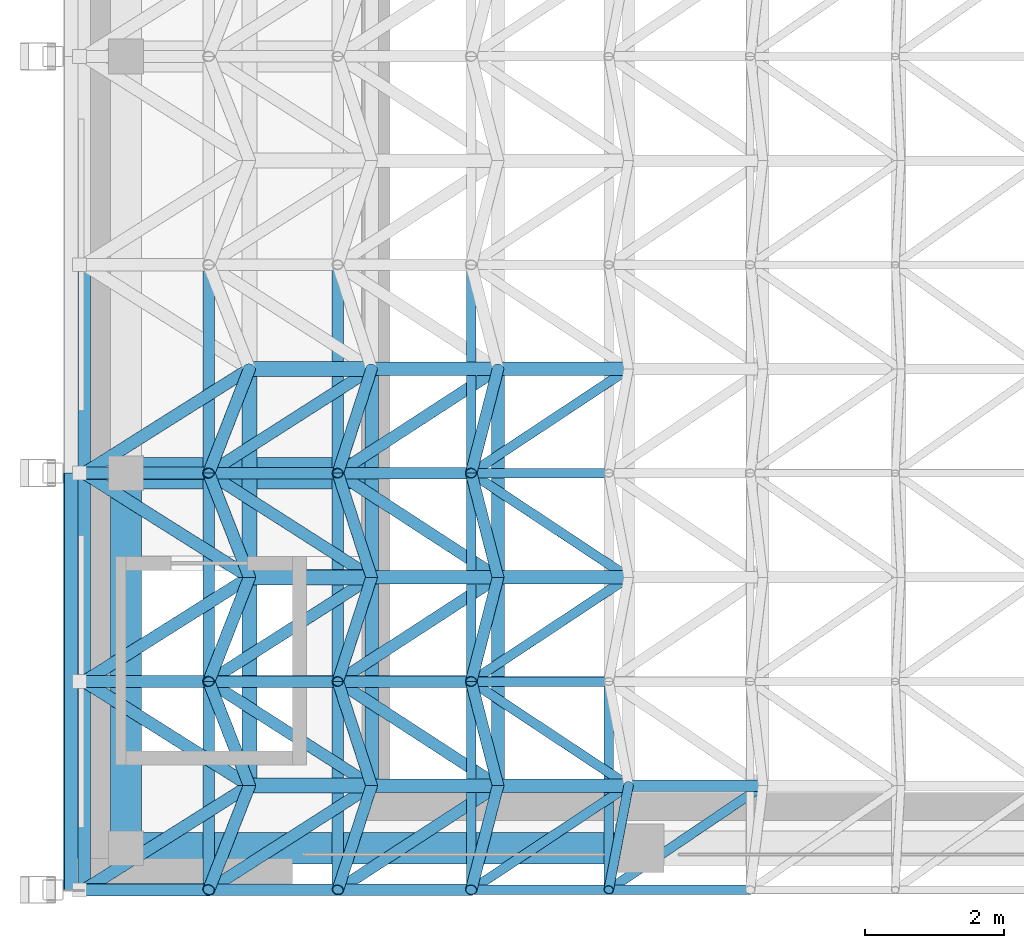
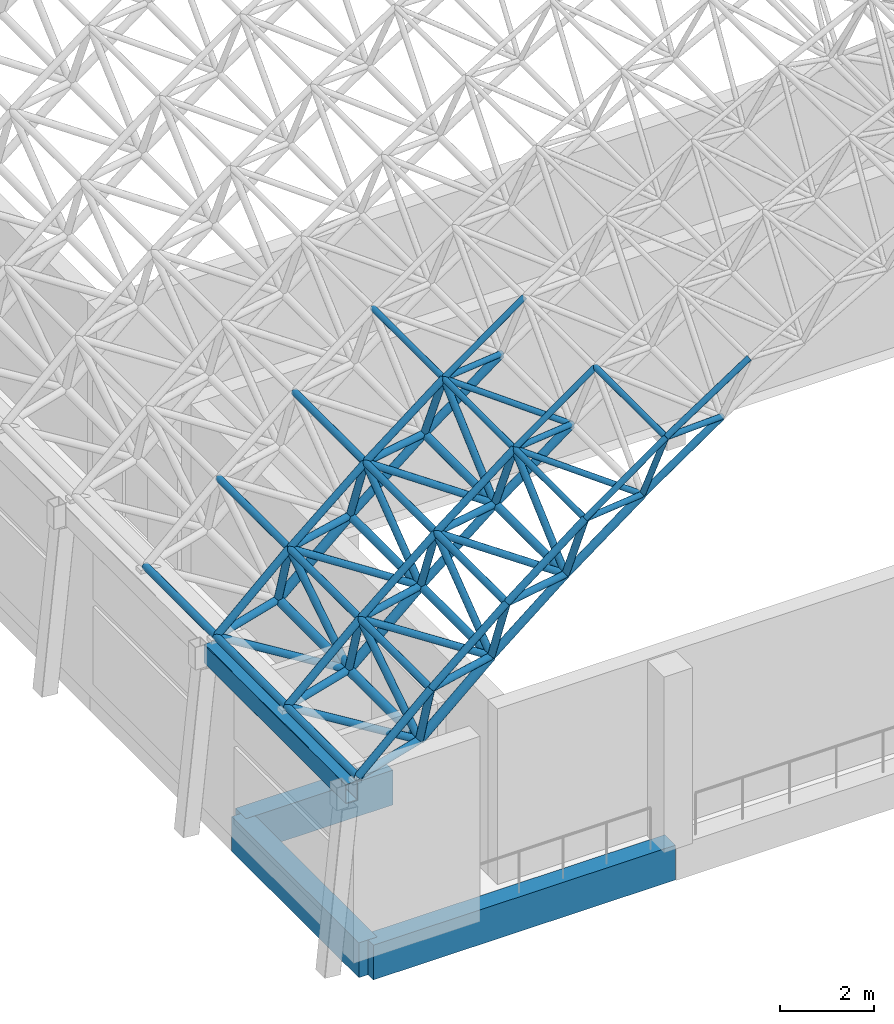
# One storey, part 8 of 141: 79 members, 4 beams.
"""IFC4 building model written with IfcOpenShell, lengths in metres."""

from ifc_helpers import new_model, si_unit, direction, frame, origin, origin_2d, place, context, subcontext, project, spatial, rectangle, hollow_rectangle, hollow_circle, extrude, material, material_profile, profile_set, type_object, element, save


model = new_model("IFC4")

# Units and contexts
model_context = context("Model", 3, precision=1e-05, world=origin(), true_north=direction((0.0, 1.0)))
body_context = subcontext(model_context, "Body", "Model", "MODEL_VIEW")
ifc_project = project(units=[si_unit("LENGTHUNIT", "METRE"), si_unit("AREAUNIT", "SQUARE_METRE"), si_unit("VOLUMEUNIT", "CUBIC_METRE"), si_unit("PLANEANGLEUNIT", "RADIAN"), si_unit("MASSUNIT", "GRAM", prefix="KILO")], contexts=[model_context])

# Site, building, storey
site_placement = place(None, origin())
site = spatial("IfcSite", under=ifc_project, at=site_placement, CompositionType="ELEMENT")
building_placement = place(site_placement, origin())
building = spatial("IfcBuilding", under=site, at=building_placement, Name="Lantern Court Media Centre", CompositionType="ELEMENT")
storey_placement = place(building_placement, frame((0.0, 0.0, 9.60009765625)))
storey = spatial("IfcBuildingStorey", under=building, at=storey_placement, Name="L02", CompositionType="ELEMENT", Elevation=9.60009765625)

# Members
ifc_material_1 = material(Name="Steel S355J2 (EN 10025-2)", Category="steel")
ifc_material_profile_1 = material_profile(ifc_material_1, hollow_circle(Radius=0.084228515625, WallThickness=0.008056640625, at=origin_2d()), Name="Cinema Hall bottom CHS 168.3x8")
ifc_profile_set_1 = profile_set([ifc_material_profile_1], Name="Steel S355J2 (EN 10025-2)")
member_type_1 = type_object("IfcMemberType", Name="Cinema Hall bottom CHS 168.3x8", PredefinedType="CHORD", material=ifc_profile_set_1)
member_1_placement = place(storey_placement, frame((7.837646484375, -0.5, 8.463623046875), z_axis=(0.824047991233, 0.0, 0.56651999801), x_axis=(0.0, 1.0, 0.0)))
element("IfcMember", 1, at=member_1_placement, inside=storey, type_object=member_type_1, Name="Cinema Hall bottom chord 04-01 across", PredefinedType="CHORD", context=body_context, shape_type="SweptSolid", body=[
    extrude(hollow_circle(Radius=0.084228515625, WallThickness=0.008056640625, at=origin_2d()), origin(), (0.0, 0.0, 1.0), 2.34814453125),
])
ifc_material_profile_2 = material_profile(ifc_material_1, hollow_circle(Radius=0.096923828125, WallThickness=0.010009765625, at=origin_2d()), Name="Cinema Hall bottom CHS 193.7x10")
ifc_profile_set_2 = profile_set([ifc_material_profile_2], Name="Steel S355J2 (EN 10025-2)")
member_type_2 = type_object("IfcMemberType", Name="Cinema Hall bottom CHS 193.7x10", PredefinedType="CHORD", material=ifc_profile_set_2)
for number, where, z_axis, x_axis, name in (
    (2, (4.1376953125, -0.5, 5.57275390625), (0.0, 1.0, 0.0), (-1.0, 0.0, 0.0), "Cinema Hall bottom chord 02-01"),
    (3, (4.1376953125, 2.5, 5.57275390625), (0.0, 1.0, 0.0), (-1.0, 0.0, 0.0), "Cinema Hall bottom chord 02-02"),
):
    element("IfcMember", number, at=place(storey_placement, frame(where, z_axis=z_axis, x_axis=x_axis)), inside=storey, type_object=member_type_2, Name=name, PredefinedType="CHORD", context=body_context, shape_type="SweptSolid", body=[
        extrude(hollow_circle(Radius=0.096923828125, WallThickness=0.010009765625, at=origin_2d()), origin(), (0.0, 0.0, 1.0), 3.0),
    ])
for number, where, z_axis, x_axis, name in (
    (4, (4.1376953125, -0.5, 5.57275390625), (0.775340578175, 0.0, 0.63154333805), (0.0, 1.0, 0.0), "Cinema Hall bottom chord 02-01 across"),
    (5, (4.1376953125, 2.5, 5.57275390625), (0.775340578175, 0.0, 0.63154333805), (0.0, 1.0, 0.0), "Cinema Hall bottom chord 02-02 across"),
    (6, (4.1376953125, 5.5, 5.57275390625), (0.775340578175, 0.0, 0.63154333805), (0.0, 1.0, 0.0), "Cinema Hall bottom chord 02-03 across"),
):
    element("IfcMember", number, at=place(storey_placement, frame(where, z_axis=z_axis, x_axis=x_axis)), inside=storey, type_object=member_type_2, Name=name, PredefinedType="CHORD", context=body_context, shape_type="SweptSolid", body=[
        extrude(hollow_circle(Radius=0.096923828125, WallThickness=0.010009765625, at=origin_2d()), origin(), (0.0, 0.0, 1.0), 2.34814453125),
    ])
ifc_material_profile_3 = material_profile(ifc_material_1, hollow_circle(Radius=0.096923828125, WallThickness=0.008056640625, at=origin_2d()), Name="Cinema Hall bottom CHS 193.7x8")
ifc_profile_set_3 = profile_set([ifc_material_profile_3], Name="Steel S355J2 (EN 10025-2)")
member_type_3 = type_object("IfcMemberType", Name="Cinema Hall bottom CHS 193.7x8", PredefinedType="CHORD", material=ifc_profile_set_3)
for number, where, z_axis, x_axis, name in (
    (7, (5.958251953125, -0.5, 7.0556640625), (0.0, 1.0, 0.0), (-1.0, 0.0, 0.0), "Cinema Hall bottom chord 03-01"),
    (8, (5.958251953125, 2.5, 7.0556640625), (0.0, 1.0, 0.0), (-1.0, 0.0, 0.0), "Cinema Hall bottom chord 03-02"),
):
    element("IfcMember", number, at=place(storey_placement, frame(where, z_axis=z_axis, x_axis=x_axis)), inside=storey, type_object=member_type_3, Name=name, PredefinedType="CHORD", context=body_context, shape_type="SweptSolid", body=[
        extrude(hollow_circle(Radius=0.096923828125, WallThickness=0.008056640625, at=origin_2d()), origin(), (0.0, 0.0, 1.0), 3.0),
    ])
for number, where, z_axis, x_axis, name in (
    (9, (5.958251953125, -0.5, 7.0556640625), (0.800324254575, 0.0, 0.599567417009), (0.0, 1.0, 0.0), "Cinema Hall bottom chord 03-01 across"),
    (10, (5.958251953125, 2.5, 7.0556640625), (0.800324254575, 0.0, 0.599567417009), (0.0, 1.0, 0.0), "Cinema Hall bottom chord 03-02 across"),
    (11, (5.958251953125, 5.5, 7.0556640625), (0.800324254575, 0.0, 0.599567417009), (0.0, 1.0, 0.0), "Cinema Hall bottom chord 03-03 across"),
):
    element("IfcMember", number, at=place(storey_placement, frame(where, z_axis=z_axis, x_axis=x_axis)), inside=storey, type_object=member_type_3, Name=name, PredefinedType="CHORD", context=body_context, shape_type="SweptSolid", body=[
        extrude(hollow_circle(Radius=0.096923828125, WallThickness=0.008056640625, at=origin_2d()), origin(), (0.0, 0.0, 1.0), 2.348388671875),
    ])
ifc_material_profile_4 = material_profile(ifc_material_1, hollow_circle(Radius=0.109619140625, WallThickness=0.010009765625, at=origin_2d()), Name="Cinema Hall bottom CHS 219.1x10")
ifc_profile_set_4 = profile_set([ifc_material_profile_4], Name="Steel S355J2 (EN 10025-2)")
member_type_4 = type_object("IfcMemberType", Name="Cinema Hall bottom CHS 219.1x10", PredefinedType="CHORD", material=ifc_profile_set_4)
for number, where, z_axis, x_axis, name in (
    (12, (2.378662109375, -0.5, 4.016845703125), (0.0, 1.0, 0.0), (-1.0, 0.0, 0.0), "Cinema Hall bottom chord 01-01"),
    (13, (2.378662109375, 2.5, 4.016845703125), (0.0, 1.0, 0.0), (-1.0, 0.0, 0.0), "Cinema Hall bottom chord 01-02"),
):
    element("IfcMember", number, at=place(storey_placement, frame(where, z_axis=z_axis, x_axis=x_axis)), inside=storey, type_object=member_type_4, Name=name, PredefinedType="CHORD", context=body_context, shape_type="SweptSolid", body=[
        extrude(hollow_circle(Radius=0.109619140625, WallThickness=0.010009765625, at=origin_2d()), origin(), (0.0, 0.0, 1.0), 3.0),
    ])
for number, where, z_axis, x_axis, name in (
    (14, (2.378662109375, -0.5, 4.016845703125), (0.749030294531, 0.0, 0.662535748375), (0.0, 1.0, 0.0), "Cinema Hall bottom chord 01-01 across"),
    (15, (2.378662109375, 2.5, 4.016845703125), (0.749030294531, 0.0, 0.662535748375), (0.0, 1.0, 0.0), "Cinema Hall bottom chord 01-02 across"),
    (16, (2.378662109375, 5.5, 4.016845703125), (0.749030294531, 0.0, 0.662535748375), (0.0, 1.0, 0.0), "Cinema Hall bottom chord 01-03 across"),
):
    element("IfcMember", number, at=place(storey_placement, frame(where, z_axis=z_axis, x_axis=x_axis)), inside=storey, type_object=member_type_4, Name=name, PredefinedType="CHORD", context=body_context, shape_type="SweptSolid", body=[
        extrude(hollow_circle(Radius=0.109619140625, WallThickness=0.010009765625, at=origin_2d()), origin(), (0.0, 0.0, 1.0), 2.348388671875),
    ])
ifc_material_profile_5 = material_profile(ifc_material_1, hollow_circle(Radius=0.06982421875, WallThickness=0.00634765625, at=origin_2d()), Name="Cinema Hall diagonal CHS 139.7x6.3")
ifc_profile_set_5 = profile_set([ifc_material_profile_5], Name="Steel S355J2 (EN 10025-2)")
member_type_5 = type_object("IfcMemberType", Name="Cinema Hall diagonal CHS 139.7x6.3", PredefinedType="BRACE", material=ifc_profile_set_5)
member_2_placement = place(storey_placement, frame((9.772705078125, -0.5, 9.7939453125), z_axis=(-0.760744068819, -0.513853513503, 0.396513591718), x_axis=(0.559735691147, -0.828671199003, 0.0)))
element("IfcMember", 17, at=member_2_placement, inside=storey, type_object=member_type_5, Name="Cinema Hall diagonal 05-01-1", PredefinedType="BRACE", context=body_context, shape_type="SweptSolid", body=[
    extrude(hollow_circle(Radius=0.06982421875, WallThickness=0.00634765625, at=origin_2d()), origin(), (0.0, 0.0, 1.0), 2.919189453125),
])
ifc_material_profile_6 = material_profile(ifc_material_1, hollow_circle(Radius=0.06982421875, WallThickness=0.008056640625, at=origin_2d()), Name="Cinema Hall diagonal CHS 139.7x8")
ifc_profile_set_6 = profile_set([ifc_material_profile_6], Name="Steel S355J2 (EN 10025-2)")
member_type_6 = type_object("IfcMemberType", Name="Cinema Hall diagonal CHS 139.7x8", PredefinedType="BRACE", material=ifc_profile_set_6)
member_3_placement = place(storey_placement, frame((7.837646484375, -0.5, 8.463623046875), z_axis=(-0.776210877705, -0.513849761084, 0.365315064521), x_axis=(0.552001963744, -0.833842810141, 0.0)))
element("IfcMember", 18, at=member_3_placement, inside=storey, type_object=member_type_6, Name="Cinema Hall diagonal 04-01-1", PredefinedType="BRACE", context=body_context, shape_type="SweptSolid", body=[
    extrude(hollow_circle(Radius=0.06982421875, WallThickness=0.008056640625, at=origin_2d()), origin(), (0.0, 0.0, 1.0), 2.919189453125),
])
member_4_placement = place(storey_placement, frame((7.837646484375, -0.5, 8.463623046875), z_axis=(-0.09785614588, -0.51387022247, 0.852268484207), x_axis=(0.982346962135, -0.187068025016, 0.0)))
element("IfcMember", 19, at=member_4_placement, inside=storey, type_object=member_type_6, Name="Cinema Hall diagonal 04-01-2", PredefinedType="BRACE", context=body_context, shape_type="SweptSolid", body=[
    extrude(hollow_circle(Radius=0.06982421875, WallThickness=0.008056640625, at=origin_2d()), origin(), (0.0, 0.0, 1.0), 2.9189453125),
])
for number, where, z_axis, x_axis, name in (
    (20, (7.837646484375, -0.5, 8.463623046875), (-0.776210877705, 0.513849761084, 0.365315064521), (-0.552001963744, -0.833842810141, 0.0), "Cinema Hall diagonal 04-01-4"),
    (21, (7.837646484375, 2.5, 8.463623046875), (-0.776210877705, -0.513849761084, 0.365315064521), (0.552001963744, -0.833842810141, 0.0), "Cinema Hall diagonal 04-02-1"),
    (22, (7.837646484375, 2.5, 8.463623046875), (-0.776210877705, 0.513849761084, 0.365315064521), (-0.552001963744, -0.833842810141, 0.0), "Cinema Hall diagonal 04-02-4"),
    (23, (7.837646484375, 5.5, 8.463623046875), (-0.776210877705, -0.513849761084, 0.365315064521), (0.552001963744, -0.833842810141, 0.0), "Cinema Hall diagonal 04-03-1"),
):
    element("IfcMember", number, at=place(storey_placement, frame(where, z_axis=z_axis, x_axis=x_axis)), inside=storey, type_object=member_type_6, Name=name, PredefinedType="BRACE", context=body_context, shape_type="SweptSolid", body=[
        extrude(hollow_circle(Radius=0.06982421875, WallThickness=0.008056640625, at=origin_2d()), origin(), (0.0, 0.0, 1.0), 2.919189453125),
    ])
ifc_material_profile_7 = material_profile(ifc_material_1, hollow_circle(Radius=0.084228515625, WallThickness=0.010009765625, at=origin_2d()), Name="Cinema Hall diagonal CHS 168.3x10")
ifc_profile_set_7 = profile_set([ifc_material_profile_7], Name="Steel S355J2 (EN 10025-2)")
member_type_7 = type_object("IfcMemberType", Name="Cinema Hall diagonal CHS 168.3x10", PredefinedType="BRACE", material=ifc_profile_set_7)
member_5_placement = place(storey_placement, frame((4.1376953125, -0.5, 5.57275390625), z_axis=(-0.803309435106, -0.513850408047, 0.301084223465), x_axis=(0.538854579896, -0.842398802068, 0.0)))
element("IfcMember", 24, at=member_5_placement, inside=storey, type_object=member_type_7, Name="Cinema Hall diagonal 02-01-1", PredefinedType="BRACE", context=body_context, shape_type="SweptSolid", body=[
    extrude(hollow_circle(Radius=0.084228515625, WallThickness=0.010009765625, at=origin_2d()), origin(), (0.0, 0.0, 1.0), 2.919189453125),
])
for number, where, z_axis, x_axis, name in (
    (25, (4.1376953125, -0.5, 5.57275390625), (-0.166695380465, -0.513886812634, 0.841506383774), (0.951206854862, -0.308553916299, 0.0), "Cinema Hall diagonal 02-01-2"),
    (26, (4.1376953125, -0.5, 5.57275390625), (-0.166695380465, 0.513886812634, 0.841506383774), (-0.951206854862, -0.308553916299, 0.0), "Cinema Hall diagonal 02-01-3"),
):
    element("IfcMember", number, at=place(storey_placement, frame(where, z_axis=z_axis, x_axis=x_axis)), inside=storey, type_object=member_type_7, Name=name, PredefinedType="BRACE", context=body_context, shape_type="SweptSolid", body=[
        extrude(hollow_circle(Radius=0.084228515625, WallThickness=0.010009765625, at=origin_2d()), origin(), (0.0, 0.0, 1.0), 2.9189453125),
    ])
for number, where, z_axis, x_axis, name in (
    (27, (4.1376953125, -0.5, 5.57275390625), (-0.803309435106, 0.513850408047, 0.301084223465), (-0.538854579896, -0.842398802068, 0.0), "Cinema Hall diagonal 02-01-4"),
    (28, (4.1376953125, 2.5, 5.57275390625), (-0.803309435106, -0.513850408047, 0.301084223465), (0.538854579896, -0.842398802068, 0.0), "Cinema Hall diagonal 02-02-1"),
):
    element("IfcMember", number, at=place(storey_placement, frame(where, z_axis=z_axis, x_axis=x_axis)), inside=storey, type_object=member_type_7, Name=name, PredefinedType="BRACE", context=body_context, shape_type="SweptSolid", body=[
        extrude(hollow_circle(Radius=0.084228515625, WallThickness=0.010009765625, at=origin_2d()), origin(), (0.0, 0.0, 1.0), 2.919189453125),
    ])
for number, where, z_axis, x_axis, name in (
    (29, (4.1376953125, 2.5, 5.57275390625), (-0.166695380465, -0.513886812634, 0.841506383774), (0.951206854862, -0.308553916299, 0.0), "Cinema Hall diagonal 02-02-2"),
    (30, (4.1376953125, 2.5, 5.57275390625), (-0.166695380465, 0.513886812634, 0.841506383774), (-0.951206854862, -0.308553916299, 0.0), "Cinema Hall diagonal 02-02-3"),
):
    element("IfcMember", number, at=place(storey_placement, frame(where, z_axis=z_axis, x_axis=x_axis)), inside=storey, type_object=member_type_7, Name=name, PredefinedType="BRACE", context=body_context, shape_type="SweptSolid", body=[
        extrude(hollow_circle(Radius=0.084228515625, WallThickness=0.010009765625, at=origin_2d()), origin(), (0.0, 0.0, 1.0), 2.9189453125),
    ])
for number, where, z_axis, x_axis, name in (
    (31, (4.1376953125, 2.5, 5.57275390625), (-0.803309435106, 0.513850408047, 0.301084223465), (-0.538854579896, -0.842398802068, 0.0), "Cinema Hall diagonal 02-02-4"),
    (32, (4.1376953125, 5.5, 5.57275390625), (-0.803309435106, -0.513850408047, 0.301084223465), (0.538854579896, -0.842398802068, 0.0), "Cinema Hall diagonal 02-03-1"),
):
    element("IfcMember", number, at=place(storey_placement, frame(where, z_axis=z_axis, x_axis=x_axis)), inside=storey, type_object=member_type_7, Name=name, PredefinedType="BRACE", context=body_context, shape_type="SweptSolid", body=[
        extrude(hollow_circle(Radius=0.084228515625, WallThickness=0.010009765625, at=origin_2d()), origin(), (0.0, 0.0, 1.0), 2.919189453125),
    ])
member_6_placement = place(storey_placement, frame((4.1376953125, 5.5, 5.57275390625), z_axis=(-0.166695380465, -0.513886812634, 0.841506383774), x_axis=(0.951206854862, -0.308553916299, 0.0)))
element("IfcMember", 33, at=member_6_placement, inside=storey, type_object=member_type_7, Name="Cinema Hall diagonal 02-03-2", PredefinedType="BRACE", context=body_context, shape_type="SweptSolid", body=[
    extrude(hollow_circle(Radius=0.084228515625, WallThickness=0.010009765625, at=origin_2d()), origin(), (0.0, 0.0, 1.0), 2.9189453125),
])
ifc_material_profile_8 = material_profile(ifc_material_1, hollow_circle(Radius=0.084228515625, WallThickness=0.008056640625, at=origin_2d()), Name="Cinema Hall diagonal CHS 168.3x8")
ifc_profile_set_8 = profile_set([ifc_material_profile_8], Name="Steel S355J2 (EN 10025-2)")
member_type_8 = type_object("IfcMemberType", Name="Cinema Hall diagonal CHS 168.3x8", PredefinedType="BRACE", material=ifc_profile_set_8)
member_7_placement = place(storey_placement, frame((5.958251953125, -0.5, 7.0556640625), z_axis=(-0.790394065187, -0.513881601747, 0.333471019884), x_axis=(0.545081898441, -0.838382802777, 0.0)))
element("IfcMember", 34, at=member_7_placement, inside=storey, type_object=member_type_8, Name="Cinema Hall diagonal 03-01-1", PredefinedType="BRACE", context=body_context, shape_type="SweptSolid", body=[
    extrude(hollow_circle(Radius=0.084228515625, WallThickness=0.008056640625, at=origin_2d()), origin(), (0.0, 0.0, 1.0), 2.9189453125),
])
for number, where, z_axis, x_axis, name in (
    (35, (5.958251953125, -0.5, 7.0556640625), (-0.132389678542, -0.513835871739, 0.847611744804), (0.968374432366, -0.249501420318, 0.0), "Cinema Hall diagonal 03-01-2"),
    (36, (5.958251953125, -0.5, 7.0556640625), (-0.132389678542, 0.513835871739, 0.847611744804), (-0.968374432366, -0.249501420318, 0.0), "Cinema Hall diagonal 03-01-3"),
):
    element("IfcMember", number, at=place(storey_placement, frame(where, z_axis=z_axis, x_axis=x_axis)), inside=storey, type_object=member_type_8, Name=name, PredefinedType="BRACE", context=body_context, shape_type="SweptSolid", body=[
        extrude(hollow_circle(Radius=0.084228515625, WallThickness=0.008056640625, at=origin_2d()), origin(), (0.0, 0.0, 1.0), 2.919189453125),
    ])
for number, where, z_axis, x_axis, name in (
    (37, (5.958251953125, -0.5, 7.0556640625), (-0.790394065187, 0.513881601747, 0.333471019884), (-0.545081898441, -0.838382802777, 0.0), "Cinema Hall diagonal 03-01-4"),
    (38, (5.958251953125, 2.5, 7.0556640625), (-0.790394065187, -0.513881601747, 0.333471019884), (0.545081898441, -0.838382802777, 0.0), "Cinema Hall diagonal 03-02-1"),
):
    element("IfcMember", number, at=place(storey_placement, frame(where, z_axis=z_axis, x_axis=x_axis)), inside=storey, type_object=member_type_8, Name=name, PredefinedType="BRACE", context=body_context, shape_type="SweptSolid", body=[
        extrude(hollow_circle(Radius=0.084228515625, WallThickness=0.008056640625, at=origin_2d()), origin(), (0.0, 0.0, 1.0), 2.9189453125),
    ])
for number, where, z_axis, x_axis, name in (
    (39, (5.958251953125, 2.5, 7.0556640625), (-0.132389678542, -0.513835871739, 0.847611744804), (0.968374432366, -0.249501420318, 0.0), "Cinema Hall diagonal 03-02-2"),
    (40, (5.958251953125, 2.5, 7.0556640625), (-0.132389678542, 0.513835871739, 0.847611744804), (-0.968374432366, -0.249501420318, 0.0), "Cinema Hall diagonal 03-02-3"),
):
    element("IfcMember", number, at=place(storey_placement, frame(where, z_axis=z_axis, x_axis=x_axis)), inside=storey, type_object=member_type_8, Name=name, PredefinedType="BRACE", context=body_context, shape_type="SweptSolid", body=[
        extrude(hollow_circle(Radius=0.084228515625, WallThickness=0.008056640625, at=origin_2d()), origin(), (0.0, 0.0, 1.0), 2.919189453125),
    ])
for number, where, z_axis, x_axis, name in (
    (41, (5.958251953125, 2.5, 7.0556640625), (-0.790394065187, 0.513881601747, 0.333471019884), (-0.545081898441, -0.838382802777, 0.0), "Cinema Hall diagonal 03-02-4"),
    (42, (5.958251953125, 5.5, 7.0556640625), (-0.790394065187, -0.513881601747, 0.333471019884), (0.545081898441, -0.838382802777, 0.0), "Cinema Hall diagonal 03-03-1"),
):
    element("IfcMember", number, at=place(storey_placement, frame(where, z_axis=z_axis, x_axis=x_axis)), inside=storey, type_object=member_type_8, Name=name, PredefinedType="BRACE", context=body_context, shape_type="SweptSolid", body=[
        extrude(hollow_circle(Radius=0.084228515625, WallThickness=0.008056640625, at=origin_2d()), origin(), (0.0, 0.0, 1.0), 2.9189453125),
    ])
member_8_placement = place(storey_placement, frame((5.958251953125, 5.5, 7.0556640625), z_axis=(-0.132389678542, -0.513835871739, 0.847611744804), x_axis=(0.968374432366, -0.249501420318, 0.0)))
element("IfcMember", 43, at=member_8_placement, inside=storey, type_object=member_type_8, Name="Cinema Hall diagonal 03-03-2", PredefinedType="BRACE", context=body_context, shape_type="SweptSolid", body=[
    extrude(hollow_circle(Radius=0.084228515625, WallThickness=0.008056640625, at=origin_2d()), origin(), (0.0, 0.0, 1.0), 2.919189453125),
])
ifc_material_profile_9 = material_profile(ifc_material_1, hollow_circle(Radius=0.0888671875, WallThickness=0.010009765625, at=origin_2d()), Name="Cinema Hall diagonal CHS 177.8x10")
ifc_profile_set_9 = profile_set([ifc_material_profile_9], Name="Steel S355J2 (EN 10025-2)")
member_type_9 = type_object("IfcMemberType", Name="Cinema Hall diagonal CHS 177.8x10", PredefinedType="BRACE", material=ifc_profile_set_9)
for number, where, z_axis, x_axis, name in (
    (44, (2.378662109375, -0.5, 4.016845703125), (-0.814865608485, -0.513859622142, 0.268220671909), (0.533404912089, -0.845860035561, 0.0), "Cinema Hall diagonal 01-01-1"),
    (45, (2.378662109375, -0.5, 4.016845703125), (-0.200719513512, -0.513841954591, 0.834073211773), (0.93145734948, -0.36385052714, 0.0), "Cinema Hall diagonal 01-01-2"),
    (46, (2.378662109375, -0.5, 4.016845703125), (-0.200719513512, 0.513841954591, 0.834073211773), (-0.93145734948, -0.36385052714, 0.0), "Cinema Hall diagonal 01-01-3"),
    (47, (2.378662109375, -0.5, 4.016845703125), (-0.814865608485, 0.513859622142, 0.268220671909), (-0.533404912089, -0.845860035561, 0.0), "Cinema Hall diagonal 01-01-4"),
    (48, (2.378662109375, 2.5, 4.016845703125), (-0.814865608485, -0.513859622142, 0.268220671909), (0.533404912089, -0.845860035561, 0.0), "Cinema Hall diagonal 01-02-1"),
    (49, (2.378662109375, 2.5, 4.016845703125), (-0.200719513512, -0.513841954591, 0.834073211773), (0.93145734948, -0.36385052714, 0.0), "Cinema Hall diagonal 01-02-2"),
    (50, (2.378662109375, 2.5, 4.016845703125), (-0.200719513512, 0.513841954591, 0.834073211773), (-0.93145734948, -0.36385052714, 0.0), "Cinema Hall diagonal 01-02-3"),
    (51, (2.378662109375, 2.5, 4.016845703125), (-0.814865608485, 0.513859622142, 0.268220671909), (-0.533404912089, -0.845860035561, 0.0), "Cinema Hall diagonal 01-02-4"),
    (52, (2.378662109375, 5.5, 4.016845703125), (-0.814865608485, -0.513859622142, 0.268220671909), (0.533404912089, -0.845860035561, 0.0), "Cinema Hall diagonal 01-03-1"),
    (53, (2.378662109375, 5.5, 4.016845703125), (-0.200719513512, -0.513841954591, 0.834073211773), (0.93145734948, -0.36385052714, 0.0), "Cinema Hall diagonal 01-03-2"),
):
    element("IfcMember", number, at=place(storey_placement, frame(where, z_axis=z_axis, x_axis=x_axis)), inside=storey, type_object=member_type_9, Name=name, PredefinedType="BRACE", context=body_context, shape_type="SweptSolid", body=[
        extrude(hollow_circle(Radius=0.0888671875, WallThickness=0.010009765625, at=origin_2d()), origin(), (0.0, 0.0, 1.0), 2.919189453125),
    ])

# Beam
ifc_material_profile_10 = material_profile(ifc_material_1, hollow_rectangle(XDim=0.300048828125, YDim=0.5, WallThickness=0.01611328125, InnerFilletRadius=0.01611328125, OuterFilletRadius=0.02392578125, at=origin_2d()), Name="Cinema Hall edge girder RHS 500x300x16")
ifc_profile_set_10 = profile_set([ifc_material_profile_10], Name="Steel S355J2 (EN 10025-2)")
beam_type_1 = type_object("IfcBeamType", Name="Cinema Hall edge girder RHS 500x300x16", PredefinedType="BEAM", material=ifc_profile_set_10)
beam_1_placement = place(storey_placement, frame((-0.14990234375, -2.0, 4.449951171875), z_axis=(0.0, 1.0, 0.0), x_axis=(-1.0, 0.0, 0.0)))
element("IfcBeam", 54, at=beam_1_placement, inside=storey, type_object=beam_type_1, Name="Cinema Hall edge girder west 1", PredefinedType="BEAM", context=body_context, shape_type="SweptSolid", body=[
    extrude(hollow_rectangle(XDim=0.300048828125, YDim=0.5, WallThickness=0.01611328125, InnerFilletRadius=0.01611328125, OuterFilletRadius=0.02392578125, at=origin_2d()), origin(), (0.0, 0.0, 1.0), 6.0),
])

# Members
ifc_material_profile_11 = material_profile(ifc_material_1, hollow_circle(Radius=0.06982421875, WallThickness=0.00634765625, at=origin_2d()), Name="Cinema Hall top CHS 139.7x6.3")
ifc_profile_set_11 = profile_set([ifc_material_profile_11], Name="Steel S355J2 (EN 10025-2)")
member_type_10 = type_object("IfcMemberType", Name="Cinema Hall top CHS 139.7x6.3", PredefinedType="CHORD", material=ifc_profile_set_11)
member_9_placement = place(storey_placement, frame((7.552001953125, -2.0, 10.951416015625), z_axis=(0.0, 1.0, 0.0), x_axis=(-1.0, 0.0, 0.0)))
element("IfcMember", 55, at=member_9_placement, inside=storey, type_object=member_type_10, Name="Cinema Hall top chord 05-01", PredefinedType="CHORD", context=body_context, shape_type="SweptSolid", body=[
    extrude(hollow_circle(Radius=0.06982421875, WallThickness=0.00634765625, at=origin_2d()), origin(), (0.0, 0.0, 1.0), 3.0),
])
member_10_placement = place(storey_placement, frame((7.552001953125, -2.0, 10.951416015625), z_axis=(0.835394087943, 0.0, 0.549651451221), x_axis=(0.0, 1.0, 0.0)))
element("IfcMember", 56, at=member_10_placement, inside=storey, type_object=member_type_10, Name="Cinema Hall top chord 05-01 across", PredefinedType="CHORD", context=body_context, shape_type="SweptSolid", body=[
    extrude(hollow_circle(Radius=0.06982421875, WallThickness=0.00634765625, at=origin_2d()), origin(), (0.0, 0.0, 1.0), 2.437744140625),
])
ifc_material_profile_12 = material_profile(ifc_material_1, hollow_circle(Radius=0.06982421875, WallThickness=0.008056640625, at=origin_2d()), Name="Cinema Hall top CHS 139.7x8")
ifc_profile_set_12 = profile_set([ifc_material_profile_12], Name="Steel S355J2 (EN 10025-2)")
member_type_11 = type_object("IfcMemberType", Name="Cinema Hall top CHS 139.7x8", PredefinedType="CHORD", material=ifc_profile_set_12)
for number, where, z_axis, x_axis, name in (
    (57, (5.57177734375, -2.0, 9.530029296875), (0.0, 1.0, 0.0), (-1.0, 0.0, 0.0), "Cinema Hall top chord 04-01"),
    (58, (5.57177734375, 1.0, 9.530029296875), (0.0, 1.0, 0.0), (-1.0, 0.0, 0.0), "Cinema Hall top chord 04-02"),
    (59, (5.57177734375, 4.0, 9.530029296875), (0.0, 1.0, 0.0), (-1.0, 0.0, 0.0), "Cinema Hall top chord 04-03"),
):
    element("IfcMember", number, at=place(storey_placement, frame(where, z_axis=z_axis, x_axis=x_axis)), inside=storey, type_object=member_type_11, Name=name, PredefinedType="CHORD", context=body_context, shape_type="SweptSolid", body=[
        extrude(hollow_circle(Radius=0.06982421875, WallThickness=0.008056640625, at=origin_2d()), origin(), (0.0, 0.0, 1.0), 3.0),
    ])
for number, where, z_axis, x_axis, name in (
    (60, (5.57177734375, -2.0, 9.530029296875), (0.812384562891, 0.0, 0.583122047239), (0.0, 1.0, 0.0), "Cinema Hall top chord 04-01 across"),
    (61, (5.57177734375, 1.0, 9.530029296875), (0.812384562891, 0.0, 0.583122047239), (0.0, 1.0, 0.0), "Cinema Hall top chord 04-02 across"),
    (62, (5.57177734375, 4.0, 9.530029296875), (0.812384562891, 0.0, 0.583122047239), (0.0, 1.0, 0.0), "Cinema Hall top chord 04-03 across"),
):
    element("IfcMember", number, at=place(storey_placement, frame(where, z_axis=z_axis, x_axis=x_axis)), inside=storey, type_object=member_type_11, Name=name, PredefinedType="CHORD", context=body_context, shape_type="SweptSolid", body=[
        extrude(hollow_circle(Radius=0.06982421875, WallThickness=0.008056640625, at=origin_2d()), origin(), (0.0, 0.0, 1.0), 2.4375),
    ])
ifc_material_profile_13 = material_profile(ifc_material_1, hollow_circle(Radius=0.084228515625, WallThickness=0.010009765625, at=origin_2d()), Name="Cinema Hall top CHS 168.3x10")
ifc_profile_set_13 = profile_set([ifc_material_profile_13], Name="Steel S355J2 (EN 10025-2)")
member_type_12 = type_object("IfcMemberType", Name="Cinema Hall top CHS 168.3x10", PredefinedType="CHORD", material=ifc_profile_set_13)
for number, where, z_axis, x_axis, name in (
    (63, (1.792724609375, -2.0, 6.45166015625), (0.0, 1.0, 0.0), (-1.0, 0.0, 0.0), "Cinema Hall top chord 02-01"),
    (64, (1.792724609375, 1.0, 6.45166015625), (0.0, 1.0, 0.0), (-1.0, 0.0, 0.0), "Cinema Hall top chord 02-02"),
    (65, (1.792724609375, 4.0, 6.45166015625), (0.0, 1.0, 0.0), (-1.0, 0.0, 0.0), "Cinema Hall top chord 02-03"),
):
    element("IfcMember", number, at=place(storey_placement, frame(where, z_axis=z_axis, x_axis=x_axis)), inside=storey, type_object=member_type_12, Name=name, PredefinedType="CHORD", context=body_context, shape_type="SweptSolid", body=[
        extrude(hollow_circle(Radius=0.084228515625, WallThickness=0.010009765625, at=origin_2d()), origin(), (0.0, 0.0, 1.0), 3.0),
    ])
for number, where, z_axis, x_axis, name in (
    (66, (1.792724609375, -2.0, 6.45166015625), (0.762393833283, 0.0, 0.647113315403), (0.0, 1.0, 0.0), "Cinema Hall top chord 02-01 across"),
    (67, (1.792724609375, 1.0, 6.45166015625), (0.762393833283, 0.0, 0.647113315403), (0.0, 1.0, 0.0), "Cinema Hall top chord 02-02 across"),
    (68, (1.792724609375, 4.0, 6.45166015625), (0.762393833283, 0.0, 0.647113315403), (0.0, 1.0, 0.0), "Cinema Hall top chord 02-03 across"),
):
    element("IfcMember", number, at=place(storey_placement, frame(where, z_axis=z_axis, x_axis=x_axis)), inside=storey, type_object=member_type_12, Name=name, PredefinedType="CHORD", context=body_context, shape_type="SweptSolid", body=[
        extrude(hollow_circle(Radius=0.084228515625, WallThickness=0.010009765625, at=origin_2d()), origin(), (0.0, 0.0, 1.0), 2.4375),
    ])
ifc_material_profile_14 = material_profile(ifc_material_1, hollow_circle(Radius=0.084228515625, WallThickness=0.008056640625, at=origin_2d()), Name="Cinema Hall top CHS 168.3x8")
ifc_profile_set_14 = profile_set([ifc_material_profile_14], Name="Steel S355J2 (EN 10025-2)")
member_type_13 = type_object("IfcMemberType", Name="Cinema Hall top CHS 168.3x8", PredefinedType="CHORD", material=ifc_profile_set_14)
for number, where, z_axis, x_axis, name in (
    (69, (3.651123046875, -2.0, 8.029052734375), (0.0, 1.0, 0.0), (-1.0, 0.0, 0.0), "Cinema Hall top chord 03-01"),
    (70, (3.651123046875, 1.0, 8.029052734375), (0.0, 1.0, 0.0), (-1.0, 0.0, 0.0), "Cinema Hall top chord 03-02"),
    (71, (3.651123046875, 4.0, 8.029052734375), (0.0, 1.0, 0.0), (-1.0, 0.0, 0.0), "Cinema Hall top chord 03-03"),
):
    element("IfcMember", number, at=place(storey_placement, frame(where, z_axis=z_axis, x_axis=x_axis)), inside=storey, type_object=member_type_13, Name=name, PredefinedType="CHORD", context=body_context, shape_type="SweptSolid", body=[
        extrude(hollow_circle(Radius=0.084228515625, WallThickness=0.008056640625, at=origin_2d()), origin(), (0.0, 0.0, 1.0), 3.0),
    ])
for number, where, z_axis, x_axis, name in (
    (72, (3.651123046875, -2.0, 8.029052734375), (0.787931739718, 0.0, 0.615762595117), (0.0, 1.0, 0.0), "Cinema Hall top chord 03-01 across"),
    (73, (3.651123046875, 1.0, 8.029052734375), (0.787931739718, 0.0, 0.615762595117), (0.0, 1.0, 0.0), "Cinema Hall top chord 03-02 across"),
    (74, (3.651123046875, 4.0, 8.029052734375), (0.787931739718, 0.0, 0.615762595117), (0.0, 1.0, 0.0), "Cinema Hall top chord 03-03 across"),
):
    element("IfcMember", number, at=place(storey_placement, frame(where, z_axis=z_axis, x_axis=x_axis)), inside=storey, type_object=member_type_13, Name=name, PredefinedType="CHORD", context=body_context, shape_type="SweptSolid", body=[
        extrude(hollow_circle(Radius=0.084228515625, WallThickness=0.008056640625, at=origin_2d()), origin(), (0.0, 0.0, 1.0), 2.4375),
    ])
ifc_material_profile_15 = material_profile(ifc_material_1, hollow_circle(Radius=0.0888671875, WallThickness=0.010009765625, at=origin_2d()), Name="Cinema Hall top CHS 177.8x10")
ifc_profile_set_15 = profile_set([ifc_material_profile_15], Name="Steel S355J2 (EN 10025-2)")
member_type_14 = type_object("IfcMemberType", Name="Cinema Hall top CHS 177.8x10", PredefinedType="CHORD", material=ifc_profile_set_15)
for number, where, z_axis, x_axis, name in (
    (75, (0.0, -2.0, 4.7998046875), (0.0, 1.0, 0.0), (-1.0, 0.0, 0.0), "Cinema Hall top chord 01-01"),
    (76, (0.0, 1.0, 4.7998046875), (0.0, 1.0, 0.0), (-1.0, 0.0, 0.0), "Cinema Hall top chord 01-02"),
    (77, (0.0, 4.0, 4.7998046875), (0.0, 1.0, 0.0), (-1.0, 0.0, 0.0), "Cinema Hall top chord 01-03"),
):
    element("IfcMember", number, at=place(storey_placement, frame(where, z_axis=z_axis, x_axis=x_axis)), inside=storey, type_object=member_type_14, Name=name, PredefinedType="CHORD", context=body_context, shape_type="SweptSolid", body=[
        extrude(hollow_circle(Radius=0.0888671875, WallThickness=0.010009765625, at=origin_2d()), origin(), (0.0, 0.0, 1.0), 3.0),
    ])
for number, where, z_axis, x_axis, name in (
    (78, (0.0, -2.0, 4.7998046875), (0.735409817039, 0.0, 0.677622609572), (0.0, 1.0, 0.0), "Cinema Hall top chord 01-01 across"),
    (79, (0.0, 1.0, 4.7998046875), (0.735409817039, 0.0, 0.677622609572), (0.0, 1.0, 0.0), "Cinema Hall top chord 01-02 across"),
    (80, (0.0, 4.0, 4.7998046875), (0.735409817039, 0.0, 0.677622609572), (0.0, 1.0, 0.0), "Cinema Hall top chord 01-03 across"),
):
    element("IfcMember", number, at=place(storey_placement, frame(where, z_axis=z_axis, x_axis=x_axis)), inside=storey, type_object=member_type_14, Name=name, PredefinedType="CHORD", context=body_context, shape_type="SweptSolid", body=[
        extrude(hollow_circle(Radius=0.0888671875, WallThickness=0.010009765625, at=origin_2d()), origin(), (0.0, 0.0, 1.0), 2.437744140625),
    ])

# Beams
ifc_material_2 = material(Name="Concrete C35", Category="concrete")
ifc_material_profile_16 = material_profile(ifc_material_2, rectangle(XDim=0.449951171875, YDim=0.89990234375, at=origin_2d()), Name="RC 450x900")
ifc_profile_set_16 = profile_set([ifc_material_profile_16], Name="Concrete C35")
beam_type_2 = type_object("IfcBeamType", Name="RC BEAM 450x900", PredefinedType="BEAM", material=ifc_profile_set_16)
beam_2_placement = place(storey_placement, frame((0.60009765625, -1.39990234375, -0.4501953125), z_axis=(1.0, 0.0, 0.0), x_axis=(0.0, 1.0, 0.0)))
element("IfcBeam", 81, at=beam_2_placement, inside=storey, type_object=beam_type_2, Name="HB-V1-L02-FX0-0", PredefinedType="BEAM", context=body_context, shape_type="SweptSolid", body=[
    extrude(rectangle(XDim=0.449951171875, YDim=0.89990234375, at=origin_2d()), origin(), (0.0, 0.0, 1.0), 7.39990234375),
])
beam_3_placement = place(storey_placement, frame((0.60009765625, 4.0, -0.4501953125), z_axis=(1.0, 0.0, 0.0), x_axis=(0.0, 1.0, 0.0)))
element("IfcBeam", 82, at=beam_3_placement, inside=storey, type_object=beam_type_2, Name="HB-V1-L02-FX1-0", PredefinedType="BEAM", context=body_context, shape_type="SweptSolid", body=[
    extrude(rectangle(XDim=0.449951171875, YDim=0.89990234375, at=origin_2d()), origin(), (0.0, 0.0, 1.0), 3.599853515625),
])
beam_4_placement = place(storey_placement, frame((0.60009765625, -1.39990234375, -0.4501953125), z_axis=(0.0, 1.0, 0.0), x_axis=(-1.0, 0.0, 0.0)))
element("IfcBeam", 83, at=beam_4_placement, inside=storey, type_object=beam_type_2, Name="HB-V1-L02-FY0-0", PredefinedType="BEAM", context=body_context, shape_type="SweptSolid", body=[
    extrude(rectangle(XDim=0.449951171875, YDim=0.89990234375, at=origin_2d()), origin(), (0.0, 0.0, 1.0), 5.39990234375),
])

save(model, "model.ifc")
